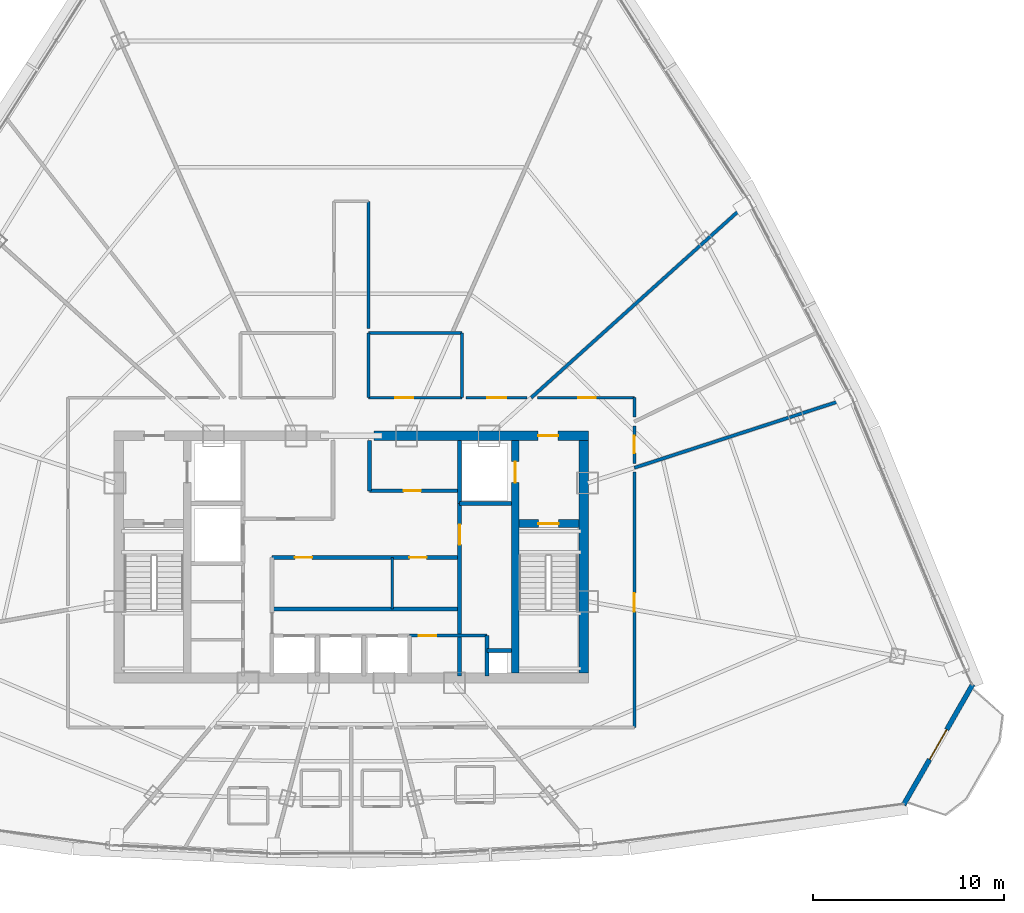
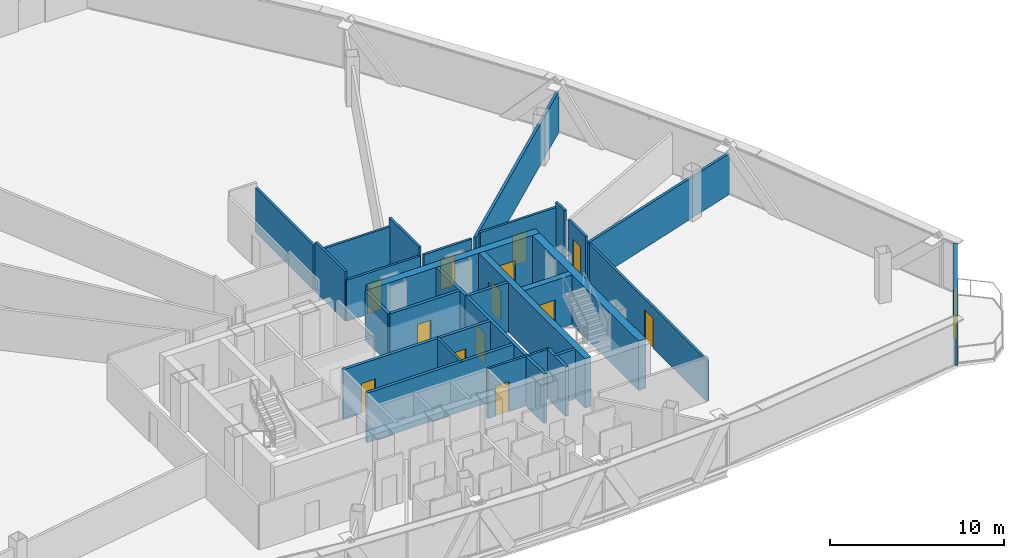
# One storey, part 35 of 39: 28 walls, 14 doors, 14 openings.
"""IFC4 building model written with IfcOpenShell, lengths in metres."""

from ifc_helpers import new_model, si_unit, direction, frame, frame_2d, origin, origin_with_axes, place, context, subcontext, project, spatial, rectangle, extrude, source, transform, mapped, material, layer, layer_set, type_object, element, fill, save


model = new_model("IFC4")

# Units and contexts
model_context = context("Model", 3, precision=1e-05, world=origin(), true_north=direction((0.0, 1.0)))
body_context = subcontext(model_context, "Body", "Model", "MODEL_VIEW")
ifc_project = project(units=[si_unit("LENGTHUNIT", "METRE"), si_unit("AREAUNIT", "SQUARE_METRE"), si_unit("VOLUMEUNIT", "CUBIC_METRE"), si_unit("PLANEANGLEUNIT", "RADIAN"), si_unit("MASSUNIT", "GRAM", prefix="KILO"), si_unit("THERMODYNAMICTEMPERATUREUNIT", "KELVIN"), si_unit("POWERUNIT", "WATT")], contexts=[model_context])

# Site, building, storey
site_placement = place(None, origin())
site = spatial("IfcSite", under=ifc_project, at=site_placement, CompositionType="ELEMENT")
building_placement = place(site_placement, origin())
building = spatial("IfcBuilding", under=site, at=building_placement, Name="Yunzhuo Pagoda Commons", CompositionType="ELEMENT")
storey_placement = place(building_placement, frame((0.0, 0.0, 285.02001953125)))
storey = spatial("IfcBuildingStorey", under=building, at=storey_placement, Name="L71", CompositionType="ELEMENT", Elevation=285.02001953125)

# Wall, opening, door
ifc_material_1 = material(Name="Precast concrete C40", Category="concrete")
ifc_layer_1 = layer(ifc_material_1, 0.260009765625)
ifc_layer_set_1 = layer_set([ifc_layer_1], Name="Precast concrete C40")
wall_type_1 = type_object("IfcWallType", Name="W-BAL1 Corner Balcony Threshold Wall 260", PredefinedType="STANDARD", material=ifc_layer_set_1)
wall_1_placement = place(storey_placement, frame((76.96630859375, 20.84912109375, 0.0), z_axis=(0.0, 0.0, 1.0), x_axis=(0.497929527106, 0.867217496385, 0.0)))
wall_1 = element("IfcWall", 1, at=wall_1_placement, inside=storey, type_object=wall_type_1, Name="L71 corner balcony wall V2", PredefinedType="STANDARD", context=body_context, shape_type="SweptSolid", body=[
    extrude(rectangle(XDim=7.29345703125, YDim=0.260009765625, at=frame_2d((3.646728515625, 0.0))), origin(), (0.0, 0.0, 1.0), 3.469970703125),
])
opening_1_placement = place(wall_1_placement, frame((2.74658203125, 0.0, 0.0)))
opening_1 = element("IfcOpeningElement", 2, at=opening_1_placement, cuts=wall_1, Name="Opening D-BAL1", PredefinedType="OPENING", context=body_context, shape_type="SweptSolid", body=[
    extrude(rectangle(XDim=1.800048828125, YDim=2.14990234375, at=frame_2d((0.89990234375, 1.074951171875))), frame((0.0, 0.14013671875, 0.0), z_axis=(0.0, -1.0, 0.0), x_axis=(1.0, 0.0, 0.0)), (0.0, 0.0, 1.0), 0.280029296875),
])
ifc_material_2 = material(Name="Anodized aluminium frame and tempered glazed leaf", Category="aluminium")
door_type_1 = type_object("IfcDoorType", Name="D-BAL1 Corner Balcony Sliding Glazed Door 1800x2150", OperationType="DOUBLE_DOOR_SLIDING", PredefinedType="DOOR", material=ifc_material_2)
shared_shape_1 = source(origin(), body_context, "Body", "SweptSolid", [
    extrude(rectangle(XDim=1.800048828125, YDim=2.14990234375, at=frame_2d((0.89990234375, 1.074951171875))), frame((0.0, 0.02490234375, 0.0), z_axis=(0.0, -1.0, 0.0), x_axis=(1.0, 0.0, 0.0)), (0.0, 0.0, 1.0), 0.050048828125),
])
door_1_placement = place(opening_1_placement, origin_with_axes())
door_1 = element("IfcDoor", 3, at=door_1_placement, inside=storey, type_object=door_type_1, Name="L71 corner balcony sliding door V2", OperationType="DOUBLE_DOOR_SLIDING", OverallHeight=2.14990234375, OverallWidth=1.800048828125, PredefinedType="DOOR", context=body_context, shape_type="MappedRepresentation", body=[
    mapped(shared_shape_1, transform((0.0, 0.0, 0.0), scale=1.0)),
])
fill(opening_1, door_1)

ifc_material_3 = material(Name="Concrete C50", Category="concrete")
ifc_layer_2 = layer(ifc_material_3, 0.5)
ifc_layer_set_2 = layer_set([ifc_layer_2], Name="Concrete C50")
wall_type_2 = type_object("IfcWallType", Name="W-C03 Upper Core Shear Wall 500", PredefinedType="SHEAR", material=ifc_layer_set_2)
wall_2_placement = place(storey_placement, frame((49.199951171875, 40.199951171875, 0.0), z_axis=(0.0, 0.0, 1.0), x_axis=(1.0, 0.0, 0.0)))
wall_2 = element("IfcWall", 4, at=wall_2_placement, inside=storey, type_object=wall_type_2, Name="L71 core shear wall NE", PredefinedType="SHEAR", context=body_context, shape_type="SweptSolid", body=[
    extrude(rectangle(XDim=11.25, YDim=0.5, at=frame_2d((5.625, 0.0))), origin(), (0.0, 0.0, 1.0), 3.469970703125),
])
opening_2_placement = place(wall_2_placement, frame((8.60009765625, 0.0, 0.0)))
opening_2 = element("IfcOpeningElement", 5, at=opening_2_placement, cuts=wall_2, Name="Opening D-02", PredefinedType="OPENING", context=body_context, shape_type="SweptSolid", body=[
    extrude(rectangle(XDim=1.050048828125, YDim=2.10009765625, at=frame_2d((0.52490234375, 1.050048828125))), frame((0.0, 0.260009765625, 0.0), z_axis=(0.0, -1.0, 0.0), x_axis=(1.0, 0.0, 0.0)), (0.0, 0.0, 1.0), 0.52001953125),
])
ifc_material_4 = material(Name="Galvanized fire-resisting metal leaf")
door_type_2 = type_object("IfcDoorType", Name="D-02 Firefighting Lobby & Refuge Fire Door 1050x2100", OperationType="NOTDEFINED", PredefinedType="DOOR", material=ifc_material_4)
shared_shape_2 = source(origin(), body_context, "Body", "SweptSolid", [
    extrude(rectangle(XDim=1.050048828125, YDim=2.10009765625, at=frame_2d((0.52490234375, 1.050048828125))), frame((0.0, 0.02490234375, 0.0), z_axis=(0.0, -1.0, 0.0), x_axis=(1.0, 0.0, 0.0)), (0.0, 0.0, 1.0), 0.050048828125),
])
door_2_placement = place(opening_2_placement, frame((1.050048828125, 0.0, 0.0), z_axis=(0.0, 0.0, 1.0), x_axis=(-1.0, 0.0, 0.0)))
door_2 = element("IfcDoor", 6, at=door_2_placement, inside=storey, type_object=door_type_2, Name="L71 Firefighting Lobby 2 fire door", OperationType="SINGLE_SWING_RIGHT", OverallHeight=2.10009765625, OverallWidth=1.050048828125, PredefinedType="DOOR", context=body_context, shape_type="MappedRepresentation", body=[
    mapped(shared_shape_2, transform((0.0, 0.0, 0.0), scale=1.0)),
])
fill(opening_2, door_2)

# Walls
wall_3_placement = place(storey_placement, frame((60.199951171875, 27.75, 0.0), z_axis=(0.0, 0.0, 1.0), x_axis=(0.0, 1.0, 0.0)))
element("IfcWall", 7, at=wall_3_placement, inside=storey, type_object=wall_type_2, Name="L71 core shear wall E", PredefinedType="SHEAR", context=body_context, shape_type="SweptSolid", body=[
    extrude(rectangle(XDim=12.199951171875, YDim=0.5, at=frame_2d((6.10009765625, 0.0))), origin(), (0.0, 0.0, 1.0), 3.469970703125),
])
ifc_material_5 = material(Name="Gypsum plasterboard on acoustic stud")
ifc_layer_3 = layer(ifc_material_5, 0.14990234375)
ifc_layer_set_3 = layer_set([ifc_layer_3], Name="Gypsum plasterboard on acoustic stud")
wall_type_3 = type_object("IfcWallType", Name="W-COR3 High-Zone Rated Corridor Wall 150", PredefinedType="PARTITIONING", material=ifc_layer_set_3)
wall_4_placement = place(storey_placement, frame((50.14990234375, 31.1201171875, 0.0), z_axis=(0.0, 0.0, 1.0), x_axis=(0.0, 1.0, 0.0)))
element("IfcWall", 8, at=wall_4_placement, inside=storey, type_object=wall_type_3, Name="L71 interior wall IW-L71-FRMD", PredefinedType="PARTITIONING", context=body_context, shape_type="SweptSolid", body=[
    extrude(rectangle(XDim=2.699951171875, YDim=0.14990234375, at=frame_2d((1.35009765625, 0.0))), origin(), (0.0, 0.0, 1.0), 3.469970703125),
])

# Wall, opening, door
wall_5_placement = place(storey_placement, frame((51.050048828125, 29.719970703125, 0.0), z_axis=(0.0, 0.0, 1.0), x_axis=(1.0, 0.0, 0.0)))
wall_5 = element("IfcWall", 9, at=wall_5_placement, inside=storey, type_object=wall_type_3, Name="L71 interior wall IW-L71-CSES", PredefinedType="PARTITIONING", context=body_context, shape_type="SweptSolid", body=[
    extrude(rectangle(XDim=4.070068359375, YDim=0.14990234375, at=frame_2d((2.03515625, 0.0))), origin(), (0.0, 0.0, 1.0), 3.469970703125),
])
opening_3_placement = place(wall_5_placement, frame((0.5, 0.0, 0.0)))
opening_3 = element("IfcOpeningElement", 10, at=opening_3_placement, cuts=wall_5, Name="Opening D-03", PredefinedType="OPENING", context=body_context, shape_type="SweptSolid", body=[
    extrude(rectangle(XDim=0.89990234375, YDim=2.10009765625, at=frame_2d((0.449951171875, 1.050048828125))), frame((0.0, 0.0849609375, 0.0), z_axis=(0.0, -1.0, 0.0), x_axis=(1.0, 0.0, 0.0)), (0.0, 0.0, 1.0), 0.169921875),
])
door_type_3 = type_object("IfcDoorType", Name="D-03 Core Service Fire Door 900x2100", OperationType="NOTDEFINED", PredefinedType="DOOR", material=ifc_material_4)
shared_shape_3 = source(origin(), body_context, "Body", "SweptSolid", [
    extrude(rectangle(XDim=0.89990234375, YDim=2.10009765625, at=frame_2d((0.449951171875, 1.050048828125))), frame((0.0, 0.02490234375, 0.0), z_axis=(0.0, -1.0, 0.0), x_axis=(1.0, 0.0, 0.0)), (0.0, 0.0, 1.0), 0.050048828125),
])
door_3_placement = place(opening_3_placement, origin_with_axes())
door_3 = element("IfcDoor", 11, at=door_3_placement, inside=storey, type_object=door_type_3, Name="L71 core pantry door", OperationType="SINGLE_SWING_RIGHT", OverallHeight=2.10009765625, OverallWidth=0.89990234375, PredefinedType="DOOR", context=body_context, shape_type="MappedRepresentation", body=[
    mapped(shared_shape_3, transform((0.0, 0.0, 0.0), scale=1.0)),
])
fill(opening_3, door_3)

wall_6_placement = place(storey_placement, frame((48.89990234375, 42.199951171875, 0.0), z_axis=(0.0, 0.0, 1.0), x_axis=(1.0, 0.0, 0.0)))
wall_6 = element("IfcWall", 12, at=wall_6_placement, inside=storey, type_object=wall_type_3, Name="L71 interior wall IW-L71-TFES", PredefinedType="PARTITIONING", context=body_context, shape_type="SweptSolid", body=[
    extrude(rectangle(XDim=4.900146484375, YDim=0.14990234375, at=frame_2d((2.4501953125, 0.0))), origin(), (0.0, 0.0, 1.0), 2.869873046875),
])
opening_4_placement = place(wall_6_placement, frame((1.39990234375, 0.0, 0.0)))
opening_4 = element("IfcOpeningElement", 13, at=opening_4_placement, cuts=wall_6, Name="Opening D-11", PredefinedType="OPENING", context=body_context, shape_type="SweptSolid", body=[
    extrude(rectangle(XDim=0.93994140625, YDim=2.10009765625, at=frame_2d((0.469970703125, 1.050048828125))), frame((0.0, 0.0849609375, 0.0), z_axis=(0.0, -1.0, 0.0), x_axis=(1.0, 0.0, 0.0)), (0.0, 0.0, 1.0), 0.169921875),
])
door_type_4 = type_object("IfcDoorType", Name="D-11 Accessible Washroom Fire Door 940x2100", OperationType="NOTDEFINED", PredefinedType="DOOR", material=ifc_material_4)
shared_shape_4 = source(origin(), body_context, "Body", "SweptSolid", [
    extrude(rectangle(XDim=0.93994140625, YDim=2.10009765625, at=frame_2d((0.469970703125, 1.050048828125))), frame((0.0, 0.02490234375, 0.0), z_axis=(0.0, -1.0, 0.0), x_axis=(1.0, 0.0, 0.0)), (0.0, 0.0, 1.0), 0.050048828125),
])
door_4_placement = place(opening_4_placement, frame((0.93994140625, 0.0, 0.0), z_axis=(0.0, 0.0, 1.0), x_axis=(-1.0, 0.0, 0.0)))
door_4 = element("IfcDoor", 14, at=door_4_placement, inside=storey, type_object=door_type_4, Name="L71 accessible WC door", OperationType="SINGLE_SWING_RIGHT", OverallHeight=2.10009765625, OverallWidth=0.93994140625, PredefinedType="DOOR", context=body_context, shape_type="MappedRepresentation", body=[
    mapped(shared_shape_4, transform((0.0, 0.0, 0.0), scale=1.0)),
])
fill(opening_4, door_4)

# Walls
wall_7_placement = place(storey_placement, frame((48.89990234375, 45.60009765625, 0.0), z_axis=(0.0, 0.0, 1.0), x_axis=(1.0, 0.0, 0.0)))
element("IfcWall", 15, at=wall_7_placement, inside=storey, type_object=wall_type_3, Name="L71 interior wall IW-L71-TFEN", PredefinedType="PARTITIONING", context=body_context, shape_type="SweptSolid", body=[
    extrude(rectangle(XDim=4.900146484375, YDim=0.14990234375, at=frame_2d((2.4501953125, 0.0))), origin(), (0.0, 0.0, 1.0), 2.869873046875),
])
for number, where, z_axis, x_axis, name in (
    (16, (48.89990234375, 42.199951171875, 0.0), (0.0, 0.0, 1.0), (0.0, 1.0, 0.0), "L71 interior wall IW-L71-TFEW"),
    (17, (53.800048828125, 42.199951171875, 0.0), (0.0, 0.0, 1.0), (0.0, 1.0, 0.0), "L71 interior wall IW-L71-TFEE"),
):
    element("IfcWall", number, at=place(storey_placement, frame(where, z_axis=z_axis, x_axis=x_axis)), inside=storey, type_object=wall_type_3, Name=name, PredefinedType="PARTITIONING", context=body_context, shape_type="SweptSolid", body=[
        extrude(rectangle(XDim=3.400146484375, YDim=0.14990234375, at=frame_2d((1.7001953125, 0.0))), origin(), (0.0, 0.0, 1.0), 3.469970703125),
    ])
wall_8_placement = place(storey_placement, frame((48.89990234375, 52.5, 0.0), z_axis=(0.0, 0.0, 1.0), x_axis=(0.0, -1.0, 0.0)))
element("IfcWall", 18, at=wall_8_placement, inside=storey, type_object=wall_type_3, Name="L71 interior wall IW-L71-CWL08", PredefinedType="PARTITIONING", context=body_context, shape_type="SweptSolid", body=[
    extrude(rectangle(XDim=6.679931640625, YDim=0.14990234375, at=frame_2d((3.33984375, 0.0))), origin(), (0.0, 0.0, 1.0), 3.119873046875),
])

# Wall, opening, door
wall_9_placement = place(storey_placement, frame((54.02001953125, 42.199951171875, 0.0), z_axis=(0.0, 0.0, 1.0), x_axis=(1.0, 0.0, 0.0)))
wall_9 = element("IfcWall", 19, at=wall_9_placement, inside=storey, type_object=wall_type_3, Name="L71 interior wall IW-L71-CWL09", PredefinedType="PARTITIONING", context=body_context, shape_type="SweptSolid", body=[
    extrude(rectangle(XDim=3.200439453125, YDim=0.14990234375, at=frame_2d((1.60009765625, 0.0))), origin(), (0.0, 0.0, 1.0), 2.869873046875),
])
opening_5_placement = place(wall_9_placement, frame((1.125, 0.0, 0.0)))
opening_5 = element("IfcOpeningElement", 20, at=opening_5_placement, cuts=wall_9, Name="Opening D-08", PredefinedType="OPENING", context=body_context, shape_type="SweptSolid", body=[
    extrude(rectangle(XDim=0.97998046875, YDim=2.1201171875, at=frame_2d((0.489990234375, 1.06005859375))), frame((0.0, 0.0849609375, 0.0), z_axis=(0.0, -1.0, 0.0), x_axis=(1.0, 0.0, 0.0)), (0.0, 0.0, 1.0), 0.169921875),
])
door_type_5 = type_object("IfcDoorType", Name="D-08 High-Zone Suite Entrance Fire Door 980x2120", OperationType="NOTDEFINED", PredefinedType="DOOR", material=ifc_material_4)
shared_shape_5 = source(origin(), body_context, "Body", "SweptSolid", [
    extrude(rectangle(XDim=0.97998046875, YDim=2.1201171875, at=frame_2d((0.489990234375, 1.06005859375))), frame((0.0, 0.02490234375, 0.0), z_axis=(0.0, -1.0, 0.0), x_axis=(1.0, 0.0, 0.0)), (0.0, 0.0, 1.0), 0.050048828125),
])
door_5_placement = place(opening_5_placement, origin_with_axes())
door_5 = element("IfcDoor", 21, at=door_5_placement, inside=storey, type_object=door_type_5, Name="L71 unit 03 entrance door", OperationType="SINGLE_SWING_LEFT", OverallHeight=2.1201171875, OverallWidth=0.97998046875, PredefinedType="DOOR", context=body_context, shape_type="MappedRepresentation", body=[
    mapped(shared_shape_5, transform((0.0, 0.0, 0.0), scale=1.0)),
])
fill(opening_5, door_5)

wall_10_placement = place(storey_placement, frame((57.76904296875, 42.199951171875, 0.0), z_axis=(0.0, 0.0, 1.0), x_axis=(1.0, 0.0, 0.0)))
wall_10 = element("IfcWall", 22, at=wall_10_placement, inside=storey, type_object=wall_type_3, Name="L71 interior wall IW-L71-CWL10", PredefinedType="PARTITIONING", context=body_context, shape_type="SweptSolid", body=[
    extrude(rectangle(XDim=5.0810546875, YDim=0.14990234375, at=frame_2d((2.54052734375, 0.0))), origin(), (0.0, 0.0, 1.0), 3.119873046875),
])
opening_6_placement = place(wall_10_placement, frame((2.14599609375, 0.0, 0.0)))
opening_6 = element("IfcOpeningElement", 23, at=opening_6_placement, cuts=wall_10, Name="Opening D-04", PredefinedType="OPENING", context=body_context, shape_type="SweptSolid", body=[
    extrude(rectangle(XDim=0.919921875, YDim=2.10009765625, at=frame_2d((0.4599609375, 1.050048828125))), frame((0.0, 0.0849609375, 0.0), z_axis=(0.0, -1.0, 0.0), x_axis=(1.0, 0.0, 0.0)), (0.0, 0.0, 1.0), 0.169921875),
])
ifc_material_6 = material(Name="Powder-coated aluminium and timber acoustic leaf", Category="wood")
door_type_6 = type_object("IfcDoorType", Name="D-04 Bedroom & Study Interior Door 920x2100", OperationType="NOTDEFINED", PredefinedType="DOOR", material=ifc_material_6)
shared_shape_6 = source(origin(), body_context, "Body", "SweptSolid", [
    extrude(rectangle(XDim=0.919921875, YDim=2.10009765625, at=frame_2d((0.4599609375, 1.050048828125))), frame((0.0, 0.02490234375, 0.0), z_axis=(0.0, -1.0, 0.0), x_axis=(1.0, 0.0, 0.0)), (0.0, 0.0, 1.0), 0.050048828125),
])
door_6_placement = place(opening_6_placement, origin_with_axes())
door_6 = element("IfcDoor", 24, at=door_6_placement, inside=storey, type_object=door_type_6, Name="L71 seminar room 02 door", OperationType="SINGLE_SWING_RIGHT", OverallHeight=2.10009765625, OverallWidth=0.919921875, PredefinedType="DOOR", context=body_context, shape_type="MappedRepresentation", body=[
    mapped(shared_shape_6, transform((0.0, 0.0, 0.0), scale=1.0)),
])
fill(opening_6, door_6)

# Wall
wall_11_placement = place(storey_placement, frame((62.85009765625, 42.199951171875, 0.0), z_axis=(0.0, 0.0, 1.0), x_axis=(0.0, -1.0, 0.0)))
element("IfcWall", 25, at=wall_11_placement, inside=storey, type_object=wall_type_3, Name="L71 interior wall IW-L71-CWL11", PredefinedType="PARTITIONING", context=body_context, shape_type="SweptSolid", body=[
    extrude(rectangle(XDim=1.012451171875, YDim=0.14990234375, at=frame_2d((0.50634765625, 0.0))), origin(), (0.0, 0.0, 1.0), 3.469970703125),
])

# Wall, opening, door
wall_12_placement = place(storey_placement, frame((62.85009765625, 40.722900390625, 0.0), z_axis=(0.0, 0.0, 1.0), x_axis=(0.0, -1.0, 0.0)))
wall_12 = element("IfcWall", 26, at=wall_12_placement, inside=storey, type_object=wall_type_3, Name="L71 interior wall IW-L71-CWL12", PredefinedType="PARTITIONING", context=body_context, shape_type="SweptSolid", body=[
    extrude(rectangle(XDim=1.966552734375, YDim=0.14990234375, at=frame_2d((0.9833984375, 0.0))), origin(), (0.0, 0.0, 1.0), 3.119873046875),
])
opening_7_placement = place(wall_12_placement, frame((0.529052734375, 0.0, 0.0)))
opening_7 = element("IfcOpeningElement", 27, at=opening_7_placement, cuts=wall_12, Name="Opening D-12", PredefinedType="OPENING", context=body_context, shape_type="SweptSolid", body=[
    extrude(rectangle(XDim=0.89990234375, YDim=2.080078125, at=frame_2d((0.449951171875, 1.0400390625))), frame((0.0, 0.0849609375, 0.0), z_axis=(0.0, -1.0, 0.0), x_axis=(1.0, 0.0, 0.0)), (0.0, 0.0, 1.0), 0.169921875),
])
door_type_7 = type_object("IfcDoorType", Name="D-12 Quiet Study Interior Door 900x2080", OperationType="NOTDEFINED", PredefinedType="DOOR", material=ifc_material_6)
shared_shape_7 = source(origin(), body_context, "Body", "SweptSolid", [
    extrude(rectangle(XDim=0.89990234375, YDim=2.080078125, at=frame_2d((0.449951171875, 1.0400390625))), frame((0.0, 0.02490234375, 0.0), z_axis=(0.0, -1.0, 0.0), x_axis=(1.0, 0.0, 0.0)), (0.0, 0.0, 1.0), 0.050048828125),
])
door_7_placement = place(opening_7_placement, origin_with_axes())
door_7 = element("IfcDoor", 28, at=door_7_placement, inside=storey, type_object=door_type_7, Name="L71 study lounge 01 door", OperationType="SINGLE_SWING_LEFT", OverallHeight=2.080078125, OverallWidth=0.89990234375, PredefinedType="DOOR", context=body_context, shape_type="MappedRepresentation", body=[
    mapped(shared_shape_7, transform((0.0, 0.0, 0.0), scale=1.0)),
])
fill(opening_7, door_7)

wall_13_placement = place(storey_placement, frame((62.85009765625, 38.305419921875, 0.0), z_axis=(0.0, 0.0, 1.0), x_axis=(0.0, -1.0, 0.0)))
wall_13 = element("IfcWall", 29, at=wall_13_placement, inside=storey, type_object=wall_type_3, Name="L71 interior wall IW-L71-CWL13", PredefinedType="PARTITIONING", context=body_context, shape_type="SweptSolid", body=[
    extrude(rectangle(XDim=13.405517578125, YDim=0.14990234375, at=frame_2d((6.70263671875, 0.0))), origin(), (0.0, 0.0, 1.0), 2.869873046875),
])
opening_8_placement = place(wall_13_placement, frame((6.347900390625, 0.0, 0.0)))
opening_8 = element("IfcOpeningElement", 30, at=opening_8_placement, cuts=wall_13, Name="Opening D-08", PredefinedType="OPENING", context=body_context, shape_type="SweptSolid", body=[
    extrude(rectangle(XDim=0.97998046875, YDim=2.1201171875, at=frame_2d((0.489990234375, 1.06005859375))), frame((0.0, 0.0849609375, 0.0), z_axis=(0.0, -1.0, 0.0), x_axis=(1.0, 0.0, 0.0)), (0.0, 0.0, 1.0), 0.169921875),
])
door_8_placement = place(opening_8_placement, origin_with_axes())
door_8 = element("IfcDoor", 31, at=door_8_placement, inside=storey, type_object=door_type_5, Name="L71 Resident Co-Living Commons Hall door", OperationType="SINGLE_SWING_RIGHT", OverallHeight=2.1201171875, OverallWidth=0.97998046875, PredefinedType="DOOR", context=body_context, shape_type="MappedRepresentation", body=[
    mapped(shared_shape_5, transform((0.0, 0.0, 0.0), scale=1.0)),
])
fill(opening_8, door_8)

# Walls
ifc_layer_4 = layer(ifc_material_5, 0.169921875)
ifc_layer_set_4 = layer_set([ifc_layer_4], Name="Gypsum plasterboard on acoustic stud")
wall_type_4 = type_object("IfcWallType", Name="W-PRT4 High-Zone Demising Wall 170", PredefinedType="PARTITIONING", material=ifc_layer_set_4)
wall_14_placement = place(storey_placement, frame((62.85009765625, 38.525146484375, 0.0), z_axis=(0.0, 0.0, 1.0), x_axis=(0.951059664494, 0.309007305047, 0.0)))
element("IfcWall", 32, at=wall_14_placement, inside=storey, type_object=wall_type_4, Name="L71 interior wall IW-L71-RAD01", PredefinedType="PARTITIONING", context=body_context, shape_type="SweptSolid", body=[
    extrude(rectangle(XDim=11.984619140625, YDim=0.169921875, at=frame_2d((5.9921875, 0.0))), origin(), (0.0, 0.0, 1.0), 2.869873046875),
])
wall_15_placement = place(storey_placement, frame((57.440185546875, 42.199951171875, 0.0), z_axis=(0.0, 0.0, 1.0), x_axis=(0.743145118403, 0.669130281032, 0.0)))
element("IfcWall", 33, at=wall_15_placement, inside=storey, type_object=wall_type_4, Name="L71 interior wall IW-L71-RAD03", PredefinedType="PARTITIONING", context=body_context, shape_type="SweptSolid", body=[
    extrude(rectangle(XDim=15.3974609375, YDim=0.169921875, at=frame_2d((7.69873046875, 0.0))), origin(), (0.0, 0.0, 1.0), 2.869873046875),
])

# Wall, opening, door
ifc_material_7 = material(Name="Concrete C60", Category="concrete")
ifc_layer_5 = layer(ifc_material_7, 0.39990234375)
ifc_layer_set_5 = layer_set([ifc_layer_5], Name="Concrete C60")
wall_type_5 = type_object("IfcWallType", Name="W-S01 Internal Core Shear Web 400", PredefinedType="SHEAR", material=ifc_layer_set_5)
wall_16_placement = place(storey_placement, frame((56.60009765625, 27.75, 0.0), z_axis=(0.0, 0.0, 1.0), x_axis=(0.0, 1.0, 0.0)))
wall_16 = element("IfcWall", 34, at=wall_16_placement, inside=storey, type_object=wall_type_5, Name="L71 core shear wall WEBE", PredefinedType="SHEAR", context=body_context, shape_type="SweptSolid", body=[
    extrude(rectangle(XDim=12.199951171875, YDim=0.39990234375, at=frame_2d((6.10009765625, 0.0))), origin(), (0.0, 0.0, 1.0), 3.469970703125),
])
opening_9_placement = place(wall_16_placement, frame((10.0, 0.0, 0.0)))
opening_9 = element("IfcOpeningElement", 35, at=opening_9_placement, cuts=wall_16, Name="Opening LD-01", PredefinedType="OPENING", context=body_context, shape_type="SweptSolid", body=[
    extrude(rectangle(XDim=1.10009765625, YDim=2.10009765625, at=frame_2d((0.550048828125, 1.050048828125))), frame((0.0, 0.2099609375, 0.0), z_axis=(0.0, -1.0, 0.0), x_axis=(1.0, 0.0, 0.0)), (0.0, 0.0, 1.0), 0.419921875),
])
door_type_8 = type_object("IfcDoorType", Name="LD-01 Firefighting Lift Landing Door 1100x2100", OperationType="DOUBLE_DOOR_SLIDING", PredefinedType="DOOR", material=ifc_material_4)
shared_shape_8 = source(origin(), body_context, "Body", "SweptSolid", [
    extrude(rectangle(XDim=1.10009765625, YDim=2.10009765625, at=frame_2d((0.550048828125, 1.050048828125))), frame((0.0, 0.02490234375, 0.0), z_axis=(0.0, -1.0, 0.0), x_axis=(1.0, 0.0, 0.0)), (0.0, 0.0, 1.0), 0.050048828125),
])
door_9_placement = place(opening_9_placement, origin_with_axes())
door_9 = element("IfcDoor", 36, at=door_9_placement, inside=storey, type_object=door_type_8, Name="L71 Firefighting lift FL-2 landing door", OperationType="DOUBLE_DOOR_SLIDING", OverallHeight=2.10009765625, OverallWidth=1.10009765625, PredefinedType="DOOR", context=body_context, shape_type="MappedRepresentation", body=[
    mapped(shared_shape_8, transform((0.0, 0.0, 0.0), scale=1.0)),
])
fill(opening_9, door_9)

wall_17_placement = place(storey_placement, frame((56.800048828125, 35.60009765625, 0.0), z_axis=(0.0, 0.0, 1.0), x_axis=(1.0, 0.0, 0.0)))
wall_17 = element("IfcWall", 37, at=wall_17_placement, inside=storey, type_object=wall_type_5, Name="L71 core shear wall STE", PredefinedType="SHEAR", context=body_context, shape_type="SweptSolid", body=[
    extrude(rectangle(XDim=3.14990234375, YDim=0.39990234375, at=frame_2d((1.574951171875, 0.0))), origin(), (0.0, 0.0, 1.0), 3.469970703125),
])
opening_10_placement = place(wall_17_placement, frame((1.02001953125, 0.0, 0.0)))
opening_10 = element("IfcOpeningElement", 38, at=opening_10_placement, cuts=wall_17, Name="Opening D-01", PredefinedType="OPENING", context=body_context, shape_type="SweptSolid", body=[
    extrude(rectangle(XDim=1.050048828125, YDim=2.10009765625, at=frame_2d((0.52490234375, 1.050048828125))), frame((0.0, 0.2099609375, 0.0), z_axis=(0.0, -1.0, 0.0), x_axis=(1.0, 0.0, 0.0)), (0.0, 0.0, 1.0), 0.419921875),
])
door_type_9 = type_object("IfcDoorType", Name="D-01 Smokeproof Stair Fire Door 1050x2100", OperationType="NOTDEFINED", PredefinedType="DOOR", material=ifc_material_4)
door_10_placement = place(opening_10_placement, frame((1.050048828125, 0.0, 0.0), z_axis=(0.0, 0.0, 1.0), x_axis=(-1.0, 0.0, 0.0)))
door_10 = element("IfcDoor", 39, at=door_10_placement, inside=storey, type_object=door_type_9, Name="L71 Stair ST2 fire door", OperationType="SINGLE_SWING_RIGHT", OverallHeight=2.10009765625, OverallWidth=1.050048828125, PredefinedType="DOOR", context=body_context, shape_type="MappedRepresentation", body=[
    mapped(shared_shape_2, transform((0.0, 0.0, 0.0), scale=1.0)),
])
fill(opening_10, door_10)

# Walls
ifc_material_8 = material(Name="Concrete C40", Category="concrete")
ifc_layer_6 = layer(ifc_material_8, 0.199951171875)
ifc_layer_set_6 = layer_set([ifc_layer_6], Name="Concrete C40")
wall_type_6 = type_object("IfcWallType", Name="W-SHF Shaft & Stair Enclosure Wall 200", PredefinedType="SOLIDWALL", material=ifc_layer_set_6)
wall_18_placement = place(storey_placement, frame((53.679931640625, 36.64990234375, 0.0), z_axis=(0.0, 0.0, 1.0), x_axis=(0.0, 1.0, 0.0)))
element("IfcWall", 40, at=wall_18_placement, inside=storey, type_object=wall_type_6, Name="L71 interior wall IW-L71-FL2W", PredefinedType="SOLIDWALL", context=body_context, shape_type="SweptSolid", body=[
    extrude(rectangle(XDim=3.300048828125, YDim=0.199951171875, at=frame_2d((1.64990234375, 0.0))), origin(), (0.0, 0.0, 1.0), 3.469970703125),
])
wall_19_placement = place(storey_placement, frame((53.679931640625, 36.64990234375, 0.0), z_axis=(0.0, 0.0, 1.0), x_axis=(1.0, 0.0, 0.0)))
element("IfcWall", 41, at=wall_19_placement, inside=storey, type_object=wall_type_6, Name="L71 interior wall IW-L71-FL2S", PredefinedType="SOLIDWALL", context=body_context, shape_type="SweptSolid", body=[
    extrude(rectangle(XDim=2.719970703125, YDim=0.199951171875, at=frame_2d((1.35986328125, 0.0))), origin(), (0.0, 0.0, 1.0), 3.469970703125),
])

# Wall, opening, door
wall_20_placement = place(storey_placement, frame((48.949951171875, 37.320068359375, 0.0), z_axis=(0.0, 0.0, 1.0), x_axis=(1.0, 0.0, 0.0)))
wall_20 = element("IfcWall", 42, at=wall_20_placement, inside=storey, type_object=wall_type_6, Name="L71 interior wall IW-L71-LBNE", PredefinedType="SOLIDWALL", context=body_context, shape_type="SweptSolid", body=[
    extrude(rectangle(XDim=4.72998046875, YDim=0.199951171875, at=frame_2d((2.364990234375, 0.0))), origin(), (0.0, 0.0, 1.0), 3.469970703125),
])
opening_11_placement = place(wall_20_placement, frame((1.800048828125, 0.0, 0.0)))
opening_11 = element("IfcOpeningElement", 43, at=opening_11_placement, cuts=wall_20, Name="Opening D-03", PredefinedType="OPENING", context=body_context, shape_type="SweptSolid", body=[
    extrude(rectangle(XDim=0.89990234375, YDim=2.10009765625, at=frame_2d((0.449951171875, 1.050048828125))), frame((0.0, 0.10986328125, 0.0), z_axis=(0.0, -1.0, 0.0), x_axis=(1.0, 0.0, 0.0)), (0.0, 0.0, 1.0), 0.219970703125),
])
door_11_placement = place(opening_11_placement, frame((0.89990234375, 0.0, 0.0), z_axis=(0.0, 0.0, 1.0), x_axis=(-1.0, 0.0, 0.0)))
door_11 = element("IfcDoor", 44, at=door_11_placement, inside=storey, type_object=door_type_3, Name="L71 core east store door", OperationType="SINGLE_SWING_RIGHT", OverallHeight=2.10009765625, OverallWidth=0.89990234375, PredefinedType="DOOR", context=body_context, shape_type="MappedRepresentation", body=[
    mapped(shared_shape_3, transform((0.0, 0.0, 0.0), scale=1.0)),
])
fill(opening_11, door_11)

# Wall
wall_21_placement = place(storey_placement, frame((48.949951171875, 37.320068359375, 0.0), z_axis=(0.0, 0.0, 1.0), x_axis=(0.0, 1.0, 0.0)))
element("IfcWall", 45, at=wall_21_placement, inside=storey, type_object=wall_type_6, Name="L71 interior wall IW-L71-THRE", PredefinedType="SOLIDWALL", context=body_context, shape_type="SweptSolid", body=[
    extrude(rectangle(XDim=2.6298828125, YDim=0.199951171875, at=frame_2d((1.31494140625, 0.0))), origin(), (0.0, 0.0, 1.0), 3.469970703125),
])

# Wall, openings, doors
wall_22_placement = place(storey_placement, frame((43.85009765625, 33.820068359375, 0.0), z_axis=(0.0, 0.0, 1.0), x_axis=(1.0, 0.0, 0.0)))
wall_22 = element("IfcWall", 46, at=wall_22_placement, inside=storey, type_object=wall_type_6, Name="L71 interior wall IW-L71-MLBS", PredefinedType="SOLIDWALL", context=body_context, shape_type="SweptSolid", body=[
    extrude(rectangle(XDim=9.829833984375, YDim=0.199951171875, at=frame_2d((4.9150390625, 0.0))), origin(), (0.0, 0.0, 1.0), 3.469970703125),
])
opening_12_placement = place(wall_22_placement, frame((1.199951171875, 0.0, 0.0)))
opening_12 = element("IfcOpeningElement", 47, at=opening_12_placement, cuts=wall_22, Name="Opening D-03", PredefinedType="OPENING", context=body_context, shape_type="SweptSolid", body=[
    extrude(rectangle(XDim=0.89990234375, YDim=2.10009765625, at=frame_2d((0.449951171875, 1.050048828125))), frame((0.0, 0.10986328125, 0.0), z_axis=(0.0, -1.0, 0.0), x_axis=(1.0, 0.0, 0.0)), (0.0, 0.0, 1.0), 0.219970703125),
])
opening_13_placement = place(wall_22_placement, frame((7.199951171875, 0.0, 0.0)))
opening_13 = element("IfcOpeningElement", 48, at=opening_13_placement, cuts=wall_22, Name="Opening D-03", PredefinedType="OPENING", context=body_context, shape_type="SweptSolid", body=[
    extrude(rectangle(XDim=0.89990234375, YDim=2.10009765625, at=frame_2d((0.449951171875, 1.050048828125))), frame((0.0, 0.10986328125, 0.0), z_axis=(0.0, -1.0, 0.0), x_axis=(1.0, 0.0, 0.0)), (0.0, 0.0, 1.0), 0.219970703125),
])
door_12_placement = place(opening_12_placement, origin_with_axes())
door_12 = element("IfcDoor", 49, at=door_12_placement, inside=storey, type_object=door_type_3, Name="L71 core mid-west store door", OperationType="SINGLE_SWING_LEFT", OverallHeight=2.10009765625, OverallWidth=0.89990234375, PredefinedType="DOOR", context=body_context, shape_type="MappedRepresentation", body=[
    mapped(shared_shape_3, transform((0.0, 0.0, 0.0), scale=1.0)),
])
fill(opening_12, door_12)
door_13_placement = place(opening_13_placement, origin_with_axes())
door_13 = element("IfcDoor", 50, at=door_13_placement, inside=storey, type_object=door_type_3, Name="L71 core mid-east store door", OperationType="SINGLE_SWING_RIGHT", OverallHeight=2.10009765625, OverallWidth=0.89990234375, PredefinedType="DOOR", context=body_context, shape_type="MappedRepresentation", body=[
    mapped(shared_shape_3, transform((0.0, 0.0, 0.0), scale=1.0)),
])
fill(opening_13, door_13)

# Wall, opening, door
wall_23_placement = place(storey_placement, frame((53.679931640625, 27.60009765625, 0.0), z_axis=(0.0, 0.0, 1.0), x_axis=(0.0, 1.0, 0.0)))
wall_23 = element("IfcWall", 51, at=wall_23_placement, inside=storey, type_object=wall_type_6, Name="L71 interior wall IW-L71-PLME", PredefinedType="SOLIDWALL", context=body_context, shape_type="SweptSolid", body=[
    extrude(rectangle(XDim=9.0498046875, YDim=0.199951171875, at=frame_2d((4.52490234375, 0.0))), origin(), (0.0, 0.0, 1.0), 3.469970703125),
])
opening_14_placement = place(wall_23_placement, frame((6.89990234375, 0.0, 0.0)))
opening_14 = element("IfcOpeningElement", 52, at=opening_14_placement, cuts=wall_23, Name="Opening D-02", PredefinedType="OPENING", context=body_context, shape_type="SweptSolid", body=[
    extrude(rectangle(XDim=1.050048828125, YDim=2.10009765625, at=frame_2d((0.52490234375, 1.050048828125))), frame((0.0, 0.10986328125, 0.0), z_axis=(0.0, -1.0, 0.0), x_axis=(1.0, 0.0, 0.0)), (0.0, 0.0, 1.0), 0.219970703125),
])
door_14_placement = place(opening_14_placement, origin_with_axes())
door_14 = element("IfcDoor", 53, at=door_14_placement, inside=storey, type_object=door_type_2, Name="L71 High-bank lift hall door", OperationType="SINGLE_SWING_RIGHT", OverallHeight=2.10009765625, OverallWidth=1.050048828125, PredefinedType="DOOR", context=body_context, shape_type="MappedRepresentation", body=[
    mapped(shared_shape_2, transform((0.0, 0.0, 0.0), scale=1.0)),
])
fill(opening_14, door_14)

# Walls
wall_24_placement = place(storey_placement, frame((43.85009765625, 31.1201171875, 0.0), z_axis=(0.0, 0.0, 1.0), x_axis=(1.0, 0.0, 0.0)))
element("IfcWall", 54, at=wall_24_placement, inside=storey, type_object=wall_type_6, Name="L71 interior wall IW-L71-PLMS2", PredefinedType="SOLIDWALL", context=body_context, shape_type="SweptSolid", body=[
    extrude(rectangle(XDim=9.829833984375, YDim=0.199951171875, at=frame_2d((4.9150390625, 0.0))), origin(), (0.0, 0.0, 1.0), 3.469970703125),
])
wall_25_placement = place(storey_placement, frame((55.1201171875, 27.60009765625, 0.0), z_axis=(0.0, 0.0, 1.0), x_axis=(0.0, 1.0, 0.0)))
element("IfcWall", 55, at=wall_25_placement, inside=storey, type_object=wall_type_6, Name="L71 interior wall IW-L71-RSHFW", PredefinedType="SOLIDWALL", context=body_context, shape_type="SweptSolid", body=[
    extrude(rectangle(XDim=2.119873046875, YDim=0.199951171875, at=frame_2d((1.06005859375, 0.0))), origin(), (0.0, 0.0, 1.0), 3.469970703125),
])
wall_26_placement = place(storey_placement, frame((55.1201171875, 28.949951171875, 0.0), z_axis=(0.0, 0.0, 1.0), x_axis=(1.0, 0.0, 0.0)))
element("IfcWall", 56, at=wall_26_placement, inside=storey, type_object=wall_type_6, Name="L71 interior wall IW-L71-RSHFN", PredefinedType="SOLIDWALL", context=body_context, shape_type="SweptSolid", body=[
    extrude(rectangle(XDim=1.27978515625, YDim=0.199951171875, at=frame_2d((0.639892578125, 0.0))), origin(), (0.0, 0.0, 1.0), 3.469970703125),
])

save(model, "model.ifc")
